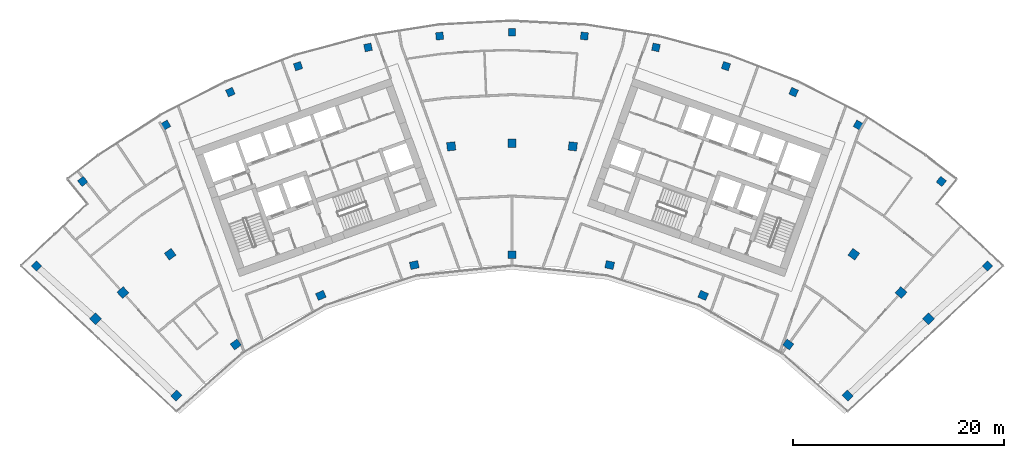
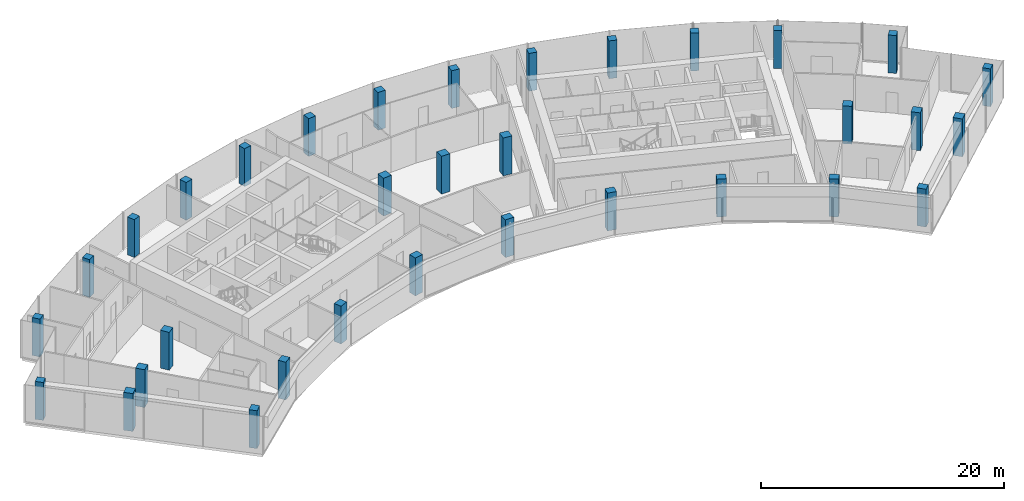
# One storey, part 1 of 18: 33 columns.
"""IFC4 building model written with IfcOpenShell, lengths in metres."""

import ifcopenshell
import ifcopenshell.guid

model = None  # the IFC model being written
_history = None  # IfcOwnerHistory: only IFC2X3 demands one
_inside = {}  # id of a spatial element -> (the spatial element, [elements in it])
_under = {}  # id of a project, library or spatial element -> (it, [spatial elements below it])
_declared = {}  # id of a project -> (the project, [libraries it declares])
_typed = {}  # id of a type object -> (the type object, [elements of that type])
_made_of = {}  # id of a material, layer set ... -> (it, [elements and type objects made of it])


def new_model(schema):
    """Start an empty IFC model of exactly this schema.

    Asked for "IFC4X3", IfcOpenShell would pick the latest addendum, in which some entities
    have other attributes; the version numbers below select the first issue.
    IFC2X3 requires an IfcOwnerHistory on every rooted entity: one is made here for all.
    """
    global model, _history
    if schema == "IFC4X3":
        model = ifcopenshell.file(schema_version=(4, 3, 0, 0))
    else:
        model = ifcopenshell.file(schema=schema)
    _inside.clear()
    _under.clear()
    _declared.clear()
    _typed.clear()
    _made_of.clear()
    _history = None
    if model.schema == "IFC2X3":
        org = make("IfcOrganization", Name="unknown")
        user = make(
            "IfcPersonAndOrganization",
            ThePerson=make("IfcPerson", FamilyName="unknown"),
            TheOrganization=org,
        )
        app = make(
            "IfcApplication",
            ApplicationDeveloper=org,
            Version="unknown",
            ApplicationFullName="unknown",
            ApplicationIdentifier="unknown",
        )
        _history = make(
            "IfcOwnerHistory",
            OwningUser=user,
            OwningApplication=app,
            ChangeAction="ADDED",
            CreationDate=0,
        )
    return model


def make(cls, **values):
    """One entity of the class cls with the attributes given. An attribute that is None is left unset."""
    return model.create_entity(
        cls, **{name: value for name, value in values.items() if value is not None}
    )


def rooted(cls, **values):
    """An entity with a GlobalId (a new one), such as an element, a storey or a relation."""
    return make(cls, GlobalId=ifcopenshell.guid.new(), OwnerHistory=_history, **values)


def si_unit(unit_type, name, prefix=None):
    """IfcSIUnit, for example si_unit("LENGTHUNIT", "METRE", prefix="MILLI")."""
    return make("IfcSIUnit", UnitType=unit_type, Prefix=prefix, Name=name)


def assignment(units):
    """IfcUnitAssignment: the units of a project."""
    return None if units is None else make("IfcUnitAssignment", Units=units)


def point(xyz):
    """IfcCartesianPoint."""
    return None if xyz is None else make("IfcCartesianPoint", Coordinates=xyz)


def direction(xyz):
    """IfcDirection."""
    return None if xyz is None else make("IfcDirection", DirectionRatios=xyz)


def frame(location, z_axis=None, x_axis=None):
    """IfcAxis2Placement3D, a coordinate frame: its origin and axes. An axis left out is left unset."""
    return make(
        "IfcAxis2Placement3D",
        Location=point(location),
        Axis=direction(z_axis),
        RefDirection=direction(x_axis),
    )


def frame_2d(location, x_axis=None):
    """IfcAxis2Placement2D, a coordinate frame in the plane: its origin and x axis."""
    return make(
        "IfcAxis2Placement2D", Location=point(location), RefDirection=direction(x_axis)
    )


def origin():
    """The frame at (0, 0, 0) with its axes left unset."""
    return frame((0.0, 0.0, 0.0))


def origin_2d():
    """The frame at (0, 0) in the plane with its x axis left unset."""
    return frame_2d((0.0, 0.0))


def place(relative_to, where):
    """IfcLocalPlacement: puts the frame where relative to a parent placement (None: the world)."""
    return make(
        "IfcLocalPlacement", PlacementRelTo=relative_to, RelativePlacement=where
    )


def context(
    kind, dimensions, precision=None, world=None, true_north=None, identifier=None
):
    """IfcGeometricRepresentationContext, for example the 3D "Model" context."""
    return make(
        "IfcGeometricRepresentationContext",
        ContextIdentifier=identifier,
        ContextType=kind,
        CoordinateSpaceDimension=dimensions,
        Precision=precision,
        WorldCoordinateSystem=world,
        TrueNorth=true_north,
    )


def subcontext(parent, identifier, kind, view, scale=None):
    """IfcGeometricRepresentationSubContext, for example "Body" below "Model"."""
    return make(
        "IfcGeometricRepresentationSubContext",
        ContextIdentifier=identifier,
        ContextType=kind,
        ParentContext=parent,
        TargetScale=scale,
        TargetView=view,
    )


def project(units=None, contexts=None):
    """IfcProject with its units and contexts."""
    return rooted(
        "IfcProject",
        Name="project",
        RepresentationContexts=contexts,
        UnitsInContext=assignment(units),
    )


def spatial(cls, under=None, at=None, **own):
    """A site, building, storey or space (cls), placed at a placement, below another one or the project."""
    s = rooted(cls, ObjectPlacement=at, **own)
    if under is not None:
        _under.setdefault(under.id(), (under, []))[1].append(s)
    return s


def profile(cls, at=None, kind="AREA", **sizes):
    """A parametric profile (cls). Its sizes go by their IFC names, for example OverallWidth=200.0."""
    return make(cls, ProfileType=kind, Position=at, **sizes)


def rectangle(**sizes):
    """IfcRectangleProfileDef."""
    return profile("IfcRectangleProfileDef", **sizes)


def extrude(swept, where, along, depth):
    """IfcExtrudedAreaSolid: the profile swept, set in the frame where, extruded along a direction by depth."""
    return make(
        "IfcExtrudedAreaSolid",
        SweptArea=swept,
        Position=where,
        ExtrudedDirection=direction(along),
        Depth=depth,
    )


def shape(context_of_items, identifier, shape_type, items):
    """IfcShapeRepresentation: the items that make up one representation, for example the "Body"."""
    return make(
        "IfcShapeRepresentation",
        ContextOfItems=context_of_items,
        RepresentationIdentifier=identifier,
        RepresentationType=shape_type,
        Items=items,
    )


def material(Name=None, Category=None):
    """IfcMaterial."""
    return make("IfcMaterial", Name=Name, Category=Category)


def material_profile(
    of_material, cross_section, Name=None, Category=None, Priority=None
):
    """IfcMaterialProfile: a cross section and its material."""
    return make(
        "IfcMaterialProfile",
        Name=Name,
        Material=of_material,
        Profile=cross_section,
        Priority=Priority,
        Category=Category,
    )


def profile_set(profiles, Name=None, composite=None):
    """IfcMaterialProfileSet."""
    return make(
        "IfcMaterialProfileSet",
        Name=Name,
        MaterialProfiles=profiles,
        CompositeProfile=composite,
    )


def made_of(thing, what):
    """Note that an element or type object is made of a material, layer set ...; save() writes the relation."""
    if what is not None:
        _made_of.setdefault(what.id(), (what, []))[1].append(thing)
    return thing


def type_object(cls, material=None, **own):
    """A type object (cls), such as IfcWallType, which elements share."""
    return made_of(rooted(cls, **own), material)


def element(
    cls,
    number,
    at=None,
    inside=None,
    cuts=None,
    type_object=None,
    material=None,
    context=None,
    identifier="Body",
    shape_type=None,
    held_by="IfcProductDefinitionShape",
    body=None,
    shapes=None,
    **own,
):
    """One element of the class cls, such as IfcWall. Its Tag is "e" and its number.

    at: its placement. inside: the storey or other place that contains it. cuts: it is an
    opening in that element (IfcRelVoidsElement). A single representation is given by context,
    identifier, shape_type and body (its items); several are given by shapes. held_by: the class
    of the entity that holds the representations. save() writes the other relations.
    """
    e = rooted(cls, Tag="e%d" % number, ObjectPlacement=at, **own)
    if body is not None:
        shapes = [shape(context, identifier, shape_type, body)]
    if shapes is not None:
        e.Representation = make(held_by, Representations=shapes)
    if inside is not None:
        _inside.setdefault(inside.id(), (inside, []))[1].append(e)
    if cuts is not None:
        rooted(
            "IfcRelVoidsElement", RelatingBuildingElement=cuts, RelatedOpeningElement=e
        )
    if type_object is not None:
        _typed.setdefault(type_object.id(), (type_object, []))[1].append(e)
    return made_of(e, material)


def aggregate(whole, parts):
    """IfcRelAggregates: a whole, such as a stair, and the parts it consists of."""
    return rooted("IfcRelAggregates", RelatingObject=whole, RelatedObjects=parts)


def save(model, path):
    """Write the relations noted so far, then the file.

    IfcRelAggregates (storeys below a building ...), IfcRelContainedInSpatialStructure (elements
    in a storey), IfcRelDefinesByType, IfcRelAssociatesMaterial and IfcRelDeclares: one each for
    every whole, place, type object, material and project.
    """
    for whole, parts in _under.values():
        aggregate(whole, parts)
    for where, things in _inside.values():
        rooted(
            "IfcRelContainedInSpatialStructure",
            RelatedElements=things,
            RelatingStructure=where,
        )
    for kind, things in _typed.values():
        rooted("IfcRelDefinesByType", RelatedObjects=things, RelatingType=kind)
    for what, things in _made_of.values():
        rooted("IfcRelAssociatesMaterial", RelatedObjects=things, RelatingMaterial=what)
    for by, libraries in _declared.values():
        rooted("IfcRelDeclares", RelatingContext=by, RelatedDefinitions=libraries)
    model.write(path)


model = new_model("IFC4")

# Units and contexts
model_context = context("Model", 3, precision=1e-05, world=origin(), true_north=direction((0.0, 1.0)))
body_context = subcontext(model_context, "Body", "Model", "MODEL_VIEW")
ifc_project = project(units=[si_unit("LENGTHUNIT", "METRE"), si_unit("AREAUNIT", "SQUARE_METRE"), si_unit("VOLUMEUNIT", "CUBIC_METRE"), si_unit("PLANEANGLEUNIT", "RADIAN"), si_unit("MASSUNIT", "GRAM", prefix="KILO")], contexts=[model_context])

# Site, building, storey
site_placement = place(None, origin())
site = spatial("IfcSite", under=ifc_project, at=site_placement, CompositionType="ELEMENT")
building_placement = place(site_placement, origin())
building = spatial("IfcBuilding", under=site, at=building_placement, Name="Stone Belt Terrace Tower", CompositionType="ELEMENT")
storey_placement = place(building_placement, frame((0.0, 0.0, 265.60009765625)))
storey = spatial("IfcBuildingStorey", under=building, at=storey_placement, Name="L64", CompositionType="ELEMENT", Elevation=265.60009765625)

# Columns
ifc_material = material(Name="Concrete B60", Category="concrete")
ifc_material_profile_1 = material_profile(ifc_material, rectangle(XDim=0.699951171875, YDim=0.699951171875, at=origin_2d()), Name="RC 700x700")
ifc_profile_set_1 = profile_set([ifc_material_profile_1], Name="Concrete B60")
column_type_1 = type_object("IfcColumnType", Name="Column RC 700x700 B60", PredefinedType="COLUMN", material=ifc_profile_set_1)
for number, where, z_axis, x_axis, name in (
    (1, (-44.97705078125, 43.381103515625, 0.0), (0.0, 0.0, 1.0), (0.694221333646, 0.719761585465, 0.0), "Column L64 RA"),
    (2, (44.97705078125, 43.381103515625, 0.0), (0.0, 0.0, 1.0), (0.694221333646, -0.719761585465, 0.0), "Column L64 RB"),
    (3, (-40.605712890625, 51.380615234375, 0.0), (0.0, 0.0, 1.0), (0.784569718703, 0.620040608746, 0.0), "Column L64 RNA"),
    (4, (-32.744384765625, 56.715087890625, 0.0), (0.0, 0.0, 1.0), (0.866025403784, 0.5, 0.0), "Column L64 R17"),
    (5, (-26.63671875, 59.8271484375, 0.0), (0.0, 0.0, 1.0), (0.913545457643, 0.406736643076, 0.0), "Column L64 R18"),
    (6, (-20.2373046875, 62.28369140625, 0.0), (0.0, 0.0, 1.0), (0.951056516295, 0.309016994375, 0.0), "Column L64 R19"),
    (7, (-13.615966796875, 64.057861328125, 0.0), (0.0, 0.0, 1.0), (0.978147600734, 0.207911690818, 0.0), "Column L64 R20"),
    (8, (-6.845458984375, 65.130126953125, 0.0), (0.0, 0.0, 1.0), (0.994521895368, 0.104528463268, 0.0), "Column L64 R21"),
    (9, (0.0, 65.489013671875, 0.0), (0.0, 0.0, 1.0), (1.0, 0.0, 0.0), "Column L64 R22"),
    (10, (6.845458984375, 65.130126953125, 0.0), (0.0, 0.0, 1.0), (0.994521895368, -0.104528463268, 0.0), "Column L64 R23"),
    (11, (13.615966796875, 64.057861328125, 0.0), (0.0, 0.0, 1.0), (0.978147600734, -0.207911690818, 0.0), "Column L64 R24"),
    (12, (20.2373046875, 62.28369140625, 0.0), (0.0, 0.0, 1.0), (0.951056516295, -0.309016994375, 0.0), "Column L64 R25"),
    (13, (26.63671875, 59.8271484375, 0.0), (0.0, 0.0, 1.0), (0.913545457643, -0.406736643076, 0.0), "Column L64 R26"),
    (14, (32.744384765625, 56.715087890625, 0.0), (0.0, 0.0, 1.0), (0.866025403784, -0.5, 0.0), "Column L64 R27"),
    (15, (40.605712890625, 51.380615234375, 0.0), (0.0, 0.0, 1.0), (0.784569718703, -0.620040608746, 0.0), "Column L64 RNB"),
):
    element("IfcColumn", number, at=place(storey_placement, frame(where, z_axis=z_axis, x_axis=x_axis)), inside=storey, type_object=column_type_1, Name=name, PredefinedType="COLUMN", context=body_context, shape_type="SweptSolid", body=[
        extrude(rectangle(XDim=0.699951171875, YDim=0.699951171875, at=origin_2d()), origin(), (0.0, 0.0, 1.0), 3.7998046875),
    ])
ifc_material_profile_2 = material_profile(ifc_material, rectangle(XDim=0.800048828125, YDim=0.699951171875, at=origin_2d()), Name="RC 800x700")
ifc_profile_set_2 = profile_set([ifc_material_profile_2], Name="Concrete B60")
column_type_2 = type_object("IfcColumnType", Name="Column RC 800x700 B60", PredefinedType="COLUMN", material=ifc_profile_set_2)
for number, where, z_axis, x_axis, name in (
    (16, (-31.73486328125, 31.11669921875, 0.0), (0.0, 0.0, 1.0), (0.700119596097, 0.714025595592, 0.0), "Column L64 PA"),
    (17, (-26.1240234375, 35.956787109375, 0.0), (0.0, 0.0, 1.0), (0.809016994375, 0.587785252292, 0.0), "Column L64 P16"),
    (18, (-18.077392578125, 40.6025390625, 0.0), (0.0, 0.0, 1.0), (0.913545457643, 0.406736643076, 0.0), "Column L64 P18"),
    (19, (-9.240478515625, 43.473876953125, 0.0), (0.0, 0.0, 1.0), (0.978147600734, 0.207911690818, 0.0), "Column L64 P20"),
    (20, (0.0, 44.445068359375, 0.0), (0.0, 0.0, 1.0), (1.0, 0.0, 0.0), "Column L64 P22"),
    (21, (9.240478515625, 43.473876953125, 0.0), (0.0, 0.0, 1.0), (0.978147600734, -0.207911690818, 0.0), "Column L64 P24"),
    (22, (18.077392578125, 40.6025390625, 0.0), (0.0, 0.0, 1.0), (0.913545457643, -0.406736643076, 0.0), "Column L64 P26"),
    (23, (26.1240234375, 35.956787109375, 0.0), (0.0, 0.0, 1.0), (0.809016994375, -0.587785252292, 0.0), "Column L64 P28"),
    (24, (31.73486328125, 31.11669921875, 0.0), (0.0, 0.0, 1.0), (0.700119596097, -0.714025595592, 0.0), "Column L64 PB"),
):
    element("IfcColumn", number, at=place(storey_placement, frame(where, z_axis=z_axis, x_axis=x_axis)), inside=storey, type_object=column_type_2, Name=name, PredefinedType="COLUMN", context=body_context, shape_type="SweptSolid", body=[
        extrude(rectangle(XDim=0.800048828125, YDim=0.699951171875, at=origin_2d()), origin(), (0.0, 0.0, 1.0), 3.7998046875),
    ])
ifc_material_profile_3 = material_profile(ifc_material, rectangle(XDim=0.800048828125, YDim=0.800048828125, at=origin_2d()), Name="RC 800x800")
ifc_profile_set_3 = profile_set([ifc_material_profile_3], Name="Concrete B60")
column_type_3 = type_object("IfcColumnType", Name="Column RC 800x800 B60", PredefinedType="COLUMN", material=ifc_profile_set_3)
for number, where, z_axis, x_axis, name in (
    (25, (-39.38818359375, 38.386962890625, 0.0), (0.0, 0.0, 1.0), (0.697944216238, 0.716152128406, 0.0), "Column L64 QA"),
    (26, (-36.80224609375, 40.873046875, 0.0), (0.0, 0.0, 1.0), (0.743144825477, 0.669130606359, 0.0), "Column L64 Q15"),
    (27, (-32.328125, 44.495849609375, 0.0), (0.0, 0.0, 1.0), (0.809016994375, 0.587785252292, 0.0), "Column L64 Q16"),
    (28, (-5.7490234375, 54.69873046875, 0.0), (0.0, 0.0, 1.0), (0.994521895368, 0.104528463268, 0.0), "Column L64 Q21"),
    (29, (0.0, 55.0, 0.0), (0.0, 0.0, 1.0), (1.0, 0.0, 0.0), "Column L64 Q22"),
    (30, (5.7490234375, 54.69873046875, 0.0), (0.0, 0.0, 1.0), (0.994521895368, -0.104528463268, 0.0), "Column L64 Q23"),
    (31, (32.328125, 44.495849609375, 0.0), (0.0, 0.0, 1.0), (0.809016994375, -0.587785252292, 0.0), "Column L64 Q28"),
    (32, (36.80224609375, 40.873046875, 0.0), (0.0, 0.0, 1.0), (0.743144825477, -0.669130606359, 0.0), "Column L64 Q29"),
    (33, (39.38818359375, 38.386962890625, 0.0), (0.0, 0.0, 1.0), (0.697944216238, -0.716152128406, 0.0), "Column L64 QB"),
):
    element("IfcColumn", number, at=place(storey_placement, frame(where, z_axis=z_axis, x_axis=x_axis)), inside=storey, type_object=column_type_3, Name=name, PredefinedType="COLUMN", context=body_context, shape_type="SweptSolid", body=[
        extrude(rectangle(XDim=0.800048828125, YDim=0.800048828125, at=origin_2d()), origin(), (0.0, 0.0, 1.0), 3.7998046875),
    ])

save(model, "model.ifc")
